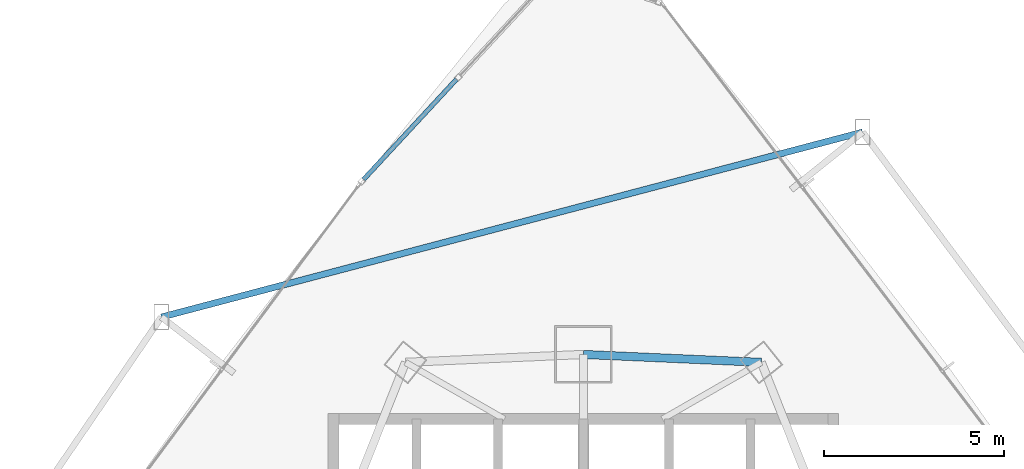
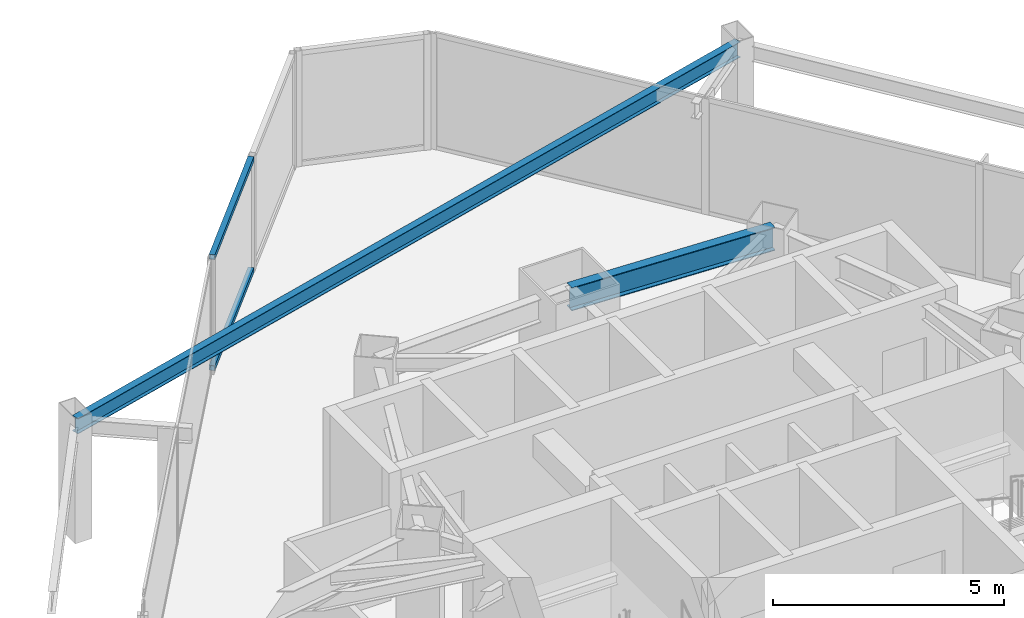
# One storey, part 26 of 38: 2 beams, 2 members, 1 element without a shape of its own.
"""IFC4 building model written with IfcOpenShell, lengths in metres."""

from ifc_helpers import new_model, si_unit, direction, frame, origin, origin_2d, place, context, subcontext, project, spatial, hollow_rectangle, i_section, extrude, material, layer, layer_set, material_profile, profile_set, type_object, element, aggregate, save


model = new_model("IFC4")

# Units and contexts
model_context = context("Model", 3, precision=1e-05, world=origin(), true_north=direction((0.0, 1.0)))
body_context = subcontext(model_context, "Body", "Model", "MODEL_VIEW")
ifc_project = project(units=[si_unit("LENGTHUNIT", "METRE"), si_unit("AREAUNIT", "SQUARE_METRE"), si_unit("VOLUMEUNIT", "CUBIC_METRE"), si_unit("PLANEANGLEUNIT", "RADIAN"), si_unit("MASSUNIT", "GRAM", prefix="KILO")], contexts=[model_context])

# Site, building, storey
site_placement = place(None, origin())
site = spatial("IfcSite", under=ifc_project, at=site_placement, CompositionType="ELEMENT")
building_placement = place(site_placement, origin())
building = spatial("IfcBuilding", under=site, at=building_placement, Name="Orvanel Arch Residences", CompositionType="ELEMENT")
storey_placement = place(building_placement, frame((0.0, 0.0, 43.39990234375)))
storey = spatial("IfcBuildingStorey", under=building, at=storey_placement, Name="L11", CompositionType="ELEMENT", Elevation=43.39990234375)

# Beams
ifc_material_1 = material(Name="Structural steel AS/NZS 3679.1 Grade 300 (300 MPa)", Category="steel")
ifc_material_profile_1 = material_profile(ifc_material_1, i_section(OverallWidth=0.177978515625, OverallDepth=0.406005859375, WebThickness=0.0078125, FlangeThickness=0.0126953125, at=origin_2d()), Name="410UB59.7")
ifc_profile_set_1 = profile_set([ifc_material_profile_1], Name="Structural steel AS/NZS 3679.1 Grade 300 (300 MPa)")
beam_type_1 = type_object("IfcBeamType", Name="OB-410UB-EXT", PredefinedType="SPANDREL", material=ifc_profile_set_1)
beam_1_placement = place(storey_placement, frame((40.76806640625, 47.58203125, 2.857177734375), z_axis=(-0.966939446148, -0.255006093032, 0.0), x_axis=(0.255006093032, -0.966939446148, 0.0)))
element("IfcBeam", 1, at=beam_1_placement, inside=storey, type_object=beam_type_1, Name="L11 Outer Perimeter Floor Ring Beam 12", PredefinedType="SPANDREL", context=body_context, shape_type="SweptSolid", body=[
    extrude(i_section(OverallWidth=0.177978515625, OverallDepth=0.406005859375, WebThickness=0.0078125, FlangeThickness=0.0126953125, at=origin_2d()), origin(), (0.0, 0.0, 1.0), 20.176025390625),
])
ifc_material_profile_2 = material_profile(ifc_material_1, i_section(OverallWidth=0.22900390625, OverallDepth=0.612060546875, WebThickness=0.011962890625, FlangeThickness=0.01953125, at=origin_2d()), Name="610UB125")
ifc_profile_set_2 = profile_set([ifc_material_profile_2], Name="Structural steel AS/NZS 3679.1 Grade 300 (300 MPa)")
beam_type_2 = type_object("IfcBeamType", Name="SP-610UB", PredefinedType="SPANDREL", material=ifc_profile_set_2)
beam_2_placement = place(storey_placement, frame((37.949951171875, 41.177978515625, 2.754150390625), z_axis=(-0.999014049296, 0.044395149614, 0.0), x_axis=(-0.044395149614, -0.999014049296, 0.0)))
element("IfcBeam", 2, at=beam_2_placement, inside=storey, type_object=beam_type_2, Name="L11 Perimeter Spandrel Beam 16", PredefinedType="SPANDREL", context=body_context, shape_type="SweptSolid", body=[
    extrude(i_section(OverallWidth=0.22900390625, OverallDepth=0.612060546875, WebThickness=0.011962890625, FlangeThickness=0.01953125, at=origin_2d()), origin(), (0.0, 0.0, 1.0), 4.954833984375),
])

# Curtain wall, members
ifc_material_2 = material(Name="Bronze-anodised aluminium AA6063-T6", Category="aluminium")
ifc_layer = layer(ifc_material_2, 0.18994140625)
ifc_layer_set = layer_set([ifc_layer], Name="Bronze-anodised aluminium AA6063-T6")
curtain_wall_type = type_object("IfcCurtainWallType", Name="CW5-CRN-SYS", PredefinedType="NOTDEFINED", material=ifc_layer_set)
curtain_wall_placement = place(storey_placement, origin())
curtain_wall = element("IfcCurtainWall", 3, at=curtain_wall_placement, inside=storey, type_object=curtain_wall_type, Name="L11 CW5-CRN-SYS Unitised Curtain Wall", PredefinedType="NOTDEFINED")
ifc_material_profile_3 = material_profile(ifc_material_2, hollow_rectangle(XDim=0.1298828125, YDim=0.1298828125, WallThickness=0.00439453125, at=origin_2d()), Name="ALU130x130x4.5")
ifc_profile_set_3 = profile_set([ifc_material_profile_3], Name="Bronze-anodised aluminium AA6063-T6")
member_type = type_object("IfcMemberType", Name="TRN-130x130", PredefinedType="USERDEFINED", material=ifc_profile_set_3)
member_1_placement = place(storey_placement, frame((29.468505859375, 49.052001953125, 0.065185546875), z_axis=(-0.679958394269, -0.733250695236, 0.0), x_axis=(0.733250695236, -0.679958394269, 0.0)))
member_1 = element("IfcMember", 4, at=member_1_placement, type_object=member_type, Name="CW-S5 transom 2.1", ObjectType="TRANSOM", PredefinedType="USERDEFINED", context=body_context, shape_type="SweptSolid", body=[
    extrude(hollow_rectangle(XDim=0.1298828125, YDim=0.1298828125, WallThickness=0.00439453125, at=origin_2d()), origin(), (0.0, 0.0, 1.0), 3.80224609375),
])
member_2_placement = place(storey_placement, frame((29.468505859375, 49.052001953125, 2.9951171875), z_axis=(-0.679958394269, -0.733250695236, 0.0), x_axis=(0.733250695236, -0.679958394269, 0.0)))
member_2 = element("IfcMember", 5, at=member_2_placement, type_object=member_type, Name="CW-S5 transom 2.2", ObjectType="TRANSOM", PredefinedType="USERDEFINED", context=body_context, shape_type="SweptSolid", body=[
    extrude(hollow_rectangle(XDim=0.1298828125, YDim=0.1298828125, WallThickness=0.00439453125, at=origin_2d()), origin(), (0.0, 0.0, 1.0), 3.80224609375),
])
aggregate(curtain_wall, [member_1, member_2])

save(model, "model.ifc")
